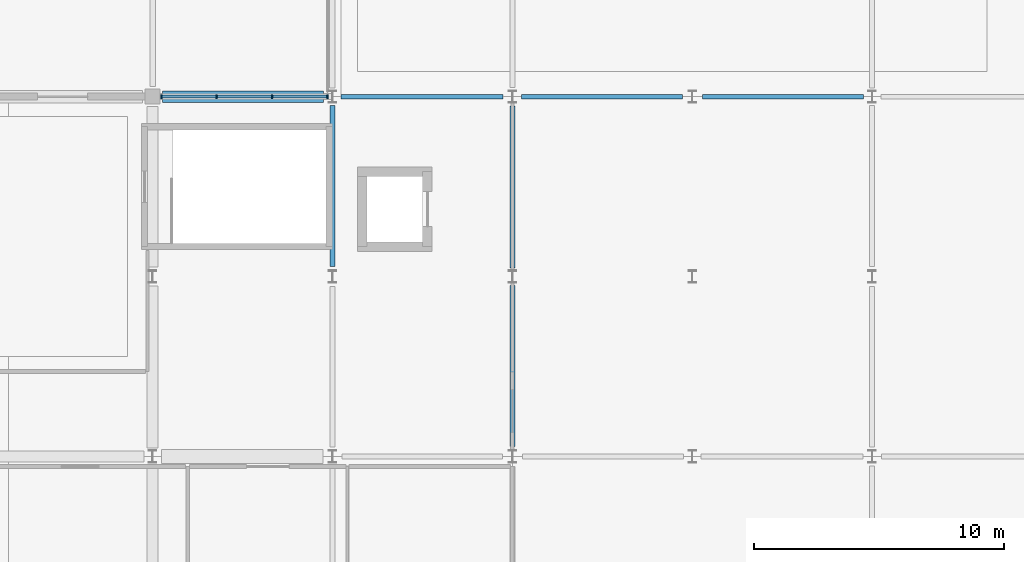
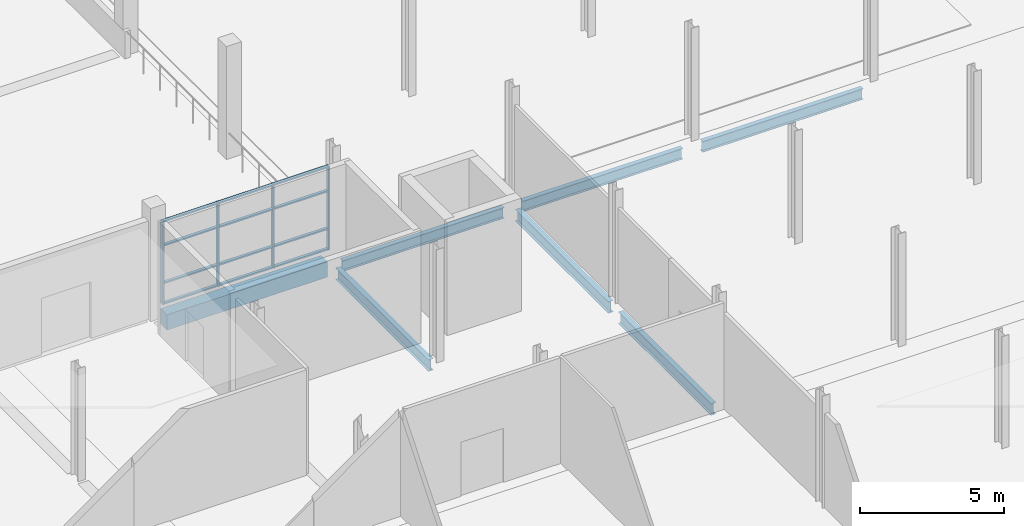
# One storey, part 31 of 82: 16 members, 7 beams, 1 element without a shape of its own.
"""IFC4 building model written with IfcOpenShell, lengths in metres."""

from ifc_helpers import new_model, si_unit, direction, frame, origin, origin_2d, place, context, subcontext, project, spatial, rectangle, i_section, extrude, material, material_profile, profile_set, type_object, element, aggregate, save


model = new_model("IFC4")

# Units and contexts
model_context = context("Model", 3, precision=1e-05, world=origin(), true_north=direction((0.0, 1.0)))
body_context = subcontext(model_context, "Body", "Model", "MODEL_VIEW")
ifc_project = project(units=[si_unit("LENGTHUNIT", "METRE"), si_unit("AREAUNIT", "SQUARE_METRE"), si_unit("VOLUMEUNIT", "CUBIC_METRE"), si_unit("PLANEANGLEUNIT", "RADIAN"), si_unit("MASSUNIT", "GRAM", prefix="KILO")], contexts=[model_context])

# Site, building, storey
site_placement = place(None, origin())
site = spatial("IfcSite", under=ifc_project, at=site_placement, CompositionType="ELEMENT")
building_placement = place(site_placement, origin())
building = spatial("IfcBuilding", under=site, at=building_placement, Name="Sardonyx Promenade Sports Hall", CompositionType="ELEMENT")
storey_placement = place(building_placement, frame((0.0, 0.0, 11.199951171875)))
storey = spatial("IfcBuildingStorey", under=building, at=storey_placement, Name="L02", CompositionType="ELEMENT", Elevation=11.199951171875)

# Beams
ifc_material_1 = material(Name="Steel S355JR", Category="steel")
ifc_material_profile_1 = material_profile(ifc_material_1, i_section(OverallWidth=0.18994140625, OverallDepth=0.453369140625, WebThickness=0.008544921875, FlangeThickness=0.0126953125, at=origin_2d()))
ifc_profile_set_1 = profile_set([ifc_material_profile_1], Name="Steel S355JR")
beam_type_1 = type_object("IfcBeamType", Name="Bm_Girder_UB457", PredefinedType="BEAM", material=ifc_profile_set_1)
beam_1_placement = place(storey_placement, frame((108.35009765625, 28.800048828125, -0.5166015625), z_axis=(1.0, 0.0, 0.0), x_axis=(0.0, 1.0, 0.0)))
element("IfcBeam", 1, at=beam_1_placement, inside=storey, type_object=beam_type_1, Name="Beam SB01 L02 #508", PredefinedType="BEAM", context=body_context, shape_type="SweptSolid", body=[
    extrude(i_section(OverallWidth=0.18994140625, OverallDepth=0.453369140625, WebThickness=0.008544921875, FlangeThickness=0.0126953125, at=origin_2d()), origin(), (0.0, 0.0, 1.0), 6.474853515625),
])
beam_2_placement = place(storey_placement, frame((115.574951171875, 28.800048828125, -0.5166015625), z_axis=(1.0, 0.0, 0.0), x_axis=(0.0, 1.0, 0.0)))
element("IfcBeam", 2, at=beam_2_placement, inside=storey, type_object=beam_type_1, Name="Beam SB01 L02 #509", PredefinedType="BEAM", context=body_context, shape_type="SweptSolid", body=[
    extrude(i_section(OverallWidth=0.18994140625, OverallDepth=0.453369140625, WebThickness=0.008544921875, FlangeThickness=0.0126953125, at=origin_2d()), origin(), (0.0, 0.0, 1.0), 6.425048828125),
])
beam_3_placement = place(storey_placement, frame((122.800048828125, 28.800048828125, -0.5166015625), z_axis=(1.0, 0.0, 0.0), x_axis=(0.0, 1.0, 0.0)))
element("IfcBeam", 3, at=beam_3_placement, inside=storey, type_object=beam_type_1, Name="Beam SB01 L02 #510", PredefinedType="BEAM", context=body_context, shape_type="SweptSolid", body=[
    extrude(i_section(OverallWidth=0.18994140625, OverallDepth=0.453369140625, WebThickness=0.008544921875, FlangeThickness=0.0126953125, at=origin_2d()), origin(), (0.0, 0.0, 1.0), 6.449951171875),
])
ifc_material_2 = material(Name="Steel S355JR", Category="steel")
ifc_material_profile_2 = material_profile(ifc_material_2, i_section(OverallWidth=0.199951171875, OverallDepth=0.5, WebThickness=0.01025390625, FlangeThickness=0.01611328125, at=origin_2d()))
ifc_profile_set_2 = profile_set([ifc_material_profile_2], Name="Steel S355JR")
beam_type_2 = type_object("IfcBeamType", Name="Bm_Primary_IPE500", PredefinedType="BEAM", material=ifc_profile_set_2)
for number, where, z_axis, x_axis, name in (
    (4, (108.0, 22.0, -0.52001953125), (0.0, 1.0, 0.0), (-1.0, 0.0, 0.0), "Beam SB06 L02 #649"),
    (5, (115.199951171875, 14.800048828125, -0.5400390625), (0.0, 1.0, 0.0), (-1.0, 0.0, 0.0), "Beam SB06 L02 #662"),
):
    element("IfcBeam", number, at=place(storey_placement, frame(where, z_axis=z_axis, x_axis=x_axis)), inside=storey, type_object=beam_type_2, Name=name, PredefinedType="BEAM", context=body_context, shape_type="SweptSolid", body=[
        extrude(i_section(OverallWidth=0.199951171875, OverallDepth=0.5, WebThickness=0.01025390625, FlangeThickness=0.01611328125, at=origin_2d()), origin(), (0.0, 0.0, 1.0), 6.449951171875),
    ])
beam_4_placement = place(storey_placement, frame((115.199951171875, 21.949951171875, -0.5400390625), z_axis=(0.0, 1.0, 0.0), x_axis=(-1.0, 0.0, 0.0)))
element("IfcBeam", 6, at=beam_4_placement, inside=storey, type_object=beam_type_2, Name="Beam SB06 L02 #663", PredefinedType="BEAM", context=body_context, shape_type="SweptSolid", body=[
    extrude(i_section(OverallWidth=0.199951171875, OverallDepth=0.5, WebThickness=0.01025390625, FlangeThickness=0.01611328125, at=origin_2d()), origin(), (0.0, 0.0, 1.0), 6.47509765625),
])
ifc_material_3 = material(Name="Concrete C40/50", Category="concrete")
ifc_material_profile_3 = material_profile(ifc_material_3, rectangle(XDim=0.449951171875, YDim=0.64990234375, at=origin_2d()))
ifc_profile_set_3 = profile_set([ifc_material_profile_3], Name="Concrete C40/50")
beam_type_3 = type_object("IfcBeamType", Name="Bm_Primary_RC650", PredefinedType="BEAM", material=ifc_profile_set_3)
beam_5_placement = place(storey_placement, frame((101.199951171875, 28.800048828125, -0.324951171875), z_axis=(1.0, 0.0, 0.0), x_axis=(0.0, 1.0, 0.0)))
element("IfcBeam", 7, at=beam_5_placement, inside=storey, type_object=beam_type_3, Name="Beam BG05 L02 #507", PredefinedType="BEAM", context=body_context, shape_type="SweptSolid", body=[
    extrude(rectangle(XDim=0.449951171875, YDim=0.64990234375, at=origin_2d()), origin(), (0.0, 0.0, 1.0), 6.449951171875),
])

# Curtain wall, members
ifc_material_4 = material(Name="Aluminium 6063-T6", Category="aluminium")
curtain_wall_type = type_object("IfcCurtainWallType", Name="CW_EastWing_L02", PredefinedType="USERDEFINED", material=ifc_material_4)
curtain_wall_placement = place(storey_placement, origin())
curtain_wall = element("IfcCurtainWall", 8, at=curtain_wall_placement, inside=storey, type_object=curtain_wall_type, Name="Curtain wall CW09 cw:L02:160", ObjectType="CURTAIN WALL", PredefinedType="USERDEFINED")
ifc_material_5 = material(Name="Aluminium 6063-T6", Category="aluminium")
ifc_material_profile_4 = material_profile(ifc_material_5, rectangle(XDim=0.06005859375, YDim=0.14990234375, at=origin_2d()))
ifc_profile_set_4 = profile_set([ifc_material_profile_4], Name="Aluminium 6063-T6")
member_type_1 = type_object("IfcMemberType", Name="CW_Mull_150", PredefinedType="MULLION", material=ifc_profile_set_4)
member_1_placement = place(storey_placement, frame((101.14990234375, 28.800048828125, 0.35009765625), z_axis=(0.0, 0.0, 1.0), x_axis=(1.0, 0.0, 0.0)))
member_1 = element("IfcMember", 9, at=member_1_placement, type_object=member_type_1, Name="Mullion CM01 cw:L02:160 #1", PredefinedType="MULLION", context=body_context, shape_type="SweptSolid", body=[
    extrude(rectangle(XDim=0.06005859375, YDim=0.14990234375, at=origin_2d()), origin(), (0.0, 0.0, 1.0), 3.550048828125),
])
member_2_placement = place(storey_placement, frame((103.36669921875, 28.800048828125, 0.35009765625), z_axis=(0.0, 0.0, 1.0), x_axis=(1.0, 0.0, 0.0)))
member_2 = element("IfcMember", 10, at=member_2_placement, type_object=member_type_1, Name="Mullion CM01 cw:L02:160 #2", PredefinedType="MULLION", context=body_context, shape_type="SweptSolid", body=[
    extrude(rectangle(XDim=0.06005859375, YDim=0.14990234375, at=origin_2d()), origin(), (0.0, 0.0, 1.0), 3.550048828125),
])
member_3_placement = place(storey_placement, frame((105.583251953125, 28.800048828125, 0.35009765625), z_axis=(0.0, 0.0, 1.0), x_axis=(1.0, 0.0, 0.0)))
member_3 = element("IfcMember", 11, at=member_3_placement, type_object=member_type_1, Name="Mullion CM01 cw:L02:160 #3", PredefinedType="MULLION", context=body_context, shape_type="SweptSolid", body=[
    extrude(rectangle(XDim=0.06005859375, YDim=0.14990234375, at=origin_2d()), origin(), (0.0, 0.0, 1.0), 3.550048828125),
])
member_4_placement = place(storey_placement, frame((107.800048828125, 28.800048828125, 0.35009765625), z_axis=(0.0, 0.0, 1.0), x_axis=(1.0, 0.0, 0.0)))
member_4 = element("IfcMember", 12, at=member_4_placement, type_object=member_type_1, Name="Mullion CM01 cw:L02:160 #4", PredefinedType="MULLION", context=body_context, shape_type="SweptSolid", body=[
    extrude(rectangle(XDim=0.06005859375, YDim=0.14990234375, at=origin_2d()), origin(), (0.0, 0.0, 1.0), 3.550048828125),
])
ifc_material_6 = material(Name="Aluminium 6063-T6", Category="aluminium")
ifc_material_profile_5 = material_profile(ifc_material_6, rectangle(XDim=0.06005859375, YDim=0.1201171875, at=origin_2d()))
ifc_profile_set_5 = profile_set([ifc_material_profile_5], Name="Aluminium 6063-T6")
member_type_2 = type_object("IfcMemberType", Name="CW_Tran_120", PredefinedType="USERDEFINED", material=ifc_profile_set_5)
member_5_placement = place(storey_placement, frame((101.179931640625, 28.800048828125, 0.380126953125), z_axis=(1.0, 0.0, 0.0), x_axis=(0.0, 0.0, 1.0)))
member_5 = element("IfcMember", 13, at=member_5_placement, type_object=member_type_2, Name="Transom CT01 cw:L02:160 #1", ObjectType="TRANSOM", PredefinedType="USERDEFINED", context=body_context, shape_type="SweptSolid", body=[
    extrude(rectangle(XDim=0.06005859375, YDim=0.1201171875, at=origin_2d()), origin(), (0.0, 0.0, 1.0), 2.15673828125),
])
member_6_placement = place(storey_placement, frame((101.179931640625, 28.800048828125, 1.25), z_axis=(1.0, 0.0, 0.0), x_axis=(0.0, 0.0, 1.0)))
member_6 = element("IfcMember", 14, at=member_6_placement, type_object=member_type_2, Name="Transom CT01 cw:L02:160 #2", ObjectType="TRANSOM", PredefinedType="USERDEFINED", context=body_context, shape_type="SweptSolid", body=[
    extrude(rectangle(XDim=0.06005859375, YDim=0.1201171875, at=origin_2d()), origin(), (0.0, 0.0, 1.0), 2.15673828125),
])
member_7_placement = place(storey_placement, frame((101.179931640625, 28.800048828125, 2.85009765625), z_axis=(1.0, 0.0, 0.0), x_axis=(0.0, 0.0, 1.0)))
member_7 = element("IfcMember", 15, at=member_7_placement, type_object=member_type_2, Name="Transom CT01 cw:L02:160 #3", ObjectType="TRANSOM", PredefinedType="USERDEFINED", context=body_context, shape_type="SweptSolid", body=[
    extrude(rectangle(XDim=0.06005859375, YDim=0.1201171875, at=origin_2d()), origin(), (0.0, 0.0, 1.0), 2.15673828125),
])
member_8_placement = place(storey_placement, frame((101.179931640625, 28.800048828125, 3.8701171875), z_axis=(1.0, 0.0, 0.0), x_axis=(0.0, 0.0, 1.0)))
member_8 = element("IfcMember", 16, at=member_8_placement, type_object=member_type_2, Name="Transom CT01 cw:L02:160 #4", ObjectType="TRANSOM", PredefinedType="USERDEFINED", context=body_context, shape_type="SweptSolid", body=[
    extrude(rectangle(XDim=0.06005859375, YDim=0.1201171875, at=origin_2d()), origin(), (0.0, 0.0, 1.0), 2.15673828125),
])
member_9_placement = place(storey_placement, frame((103.396728515625, 28.800048828125, 0.380126953125), z_axis=(1.0, 0.0, 0.0), x_axis=(0.0, 0.0, 1.0)))
member_9 = element("IfcMember", 17, at=member_9_placement, type_object=member_type_2, Name="Transom CT01 cw:L02:160 #5", ObjectType="TRANSOM", PredefinedType="USERDEFINED", context=body_context, shape_type="SweptSolid", body=[
    extrude(rectangle(XDim=0.06005859375, YDim=0.1201171875, at=origin_2d()), origin(), (0.0, 0.0, 1.0), 2.156494140625),
])
member_10_placement = place(storey_placement, frame((103.396728515625, 28.800048828125, 1.25), z_axis=(1.0, 0.0, 0.0), x_axis=(0.0, 0.0, 1.0)))
member_10 = element("IfcMember", 18, at=member_10_placement, type_object=member_type_2, Name="Transom CT01 cw:L02:160 #6", ObjectType="TRANSOM", PredefinedType="USERDEFINED", context=body_context, shape_type="SweptSolid", body=[
    extrude(rectangle(XDim=0.06005859375, YDim=0.1201171875, at=origin_2d()), origin(), (0.0, 0.0, 1.0), 2.156494140625),
])
member_11_placement = place(storey_placement, frame((103.396728515625, 28.800048828125, 2.85009765625), z_axis=(1.0, 0.0, 0.0), x_axis=(0.0, 0.0, 1.0)))
member_11 = element("IfcMember", 19, at=member_11_placement, type_object=member_type_2, Name="Transom CT01 cw:L02:160 #7", ObjectType="TRANSOM", PredefinedType="USERDEFINED", context=body_context, shape_type="SweptSolid", body=[
    extrude(rectangle(XDim=0.06005859375, YDim=0.1201171875, at=origin_2d()), origin(), (0.0, 0.0, 1.0), 2.156494140625),
])
member_12_placement = place(storey_placement, frame((103.396728515625, 28.800048828125, 3.8701171875), z_axis=(1.0, 0.0, 0.0), x_axis=(0.0, 0.0, 1.0)))
member_12 = element("IfcMember", 20, at=member_12_placement, type_object=member_type_2, Name="Transom CT01 cw:L02:160 #8", ObjectType="TRANSOM", PredefinedType="USERDEFINED", context=body_context, shape_type="SweptSolid", body=[
    extrude(rectangle(XDim=0.06005859375, YDim=0.1201171875, at=origin_2d()), origin(), (0.0, 0.0, 1.0), 2.156494140625),
])
member_13_placement = place(storey_placement, frame((105.61328125, 28.800048828125, 0.380126953125), z_axis=(1.0, 0.0, 0.0), x_axis=(0.0, 0.0, 1.0)))
member_13 = element("IfcMember", 21, at=member_13_placement, type_object=member_type_2, Name="Transom CT01 cw:L02:160 #9", ObjectType="TRANSOM", PredefinedType="USERDEFINED", context=body_context, shape_type="SweptSolid", body=[
    extrude(rectangle(XDim=0.06005859375, YDim=0.1201171875, at=origin_2d()), origin(), (0.0, 0.0, 1.0), 2.15673828125),
])
member_14_placement = place(storey_placement, frame((105.61328125, 28.800048828125, 1.25), z_axis=(1.0, 0.0, 0.0), x_axis=(0.0, 0.0, 1.0)))
member_14 = element("IfcMember", 22, at=member_14_placement, type_object=member_type_2, Name="Transom CT01 cw:L02:160 #10", ObjectType="TRANSOM", PredefinedType="USERDEFINED", context=body_context, shape_type="SweptSolid", body=[
    extrude(rectangle(XDim=0.06005859375, YDim=0.1201171875, at=origin_2d()), origin(), (0.0, 0.0, 1.0), 2.15673828125),
])
member_15_placement = place(storey_placement, frame((105.61328125, 28.800048828125, 2.85009765625), z_axis=(1.0, 0.0, 0.0), x_axis=(0.0, 0.0, 1.0)))
member_15 = element("IfcMember", 23, at=member_15_placement, type_object=member_type_2, Name="Transom CT01 cw:L02:160 #11", ObjectType="TRANSOM", PredefinedType="USERDEFINED", context=body_context, shape_type="SweptSolid", body=[
    extrude(rectangle(XDim=0.06005859375, YDim=0.1201171875, at=origin_2d()), origin(), (0.0, 0.0, 1.0), 2.15673828125),
])
member_16_placement = place(storey_placement, frame((105.61328125, 28.800048828125, 3.8701171875), z_axis=(1.0, 0.0, 0.0), x_axis=(0.0, 0.0, 1.0)))
member_16 = element("IfcMember", 24, at=member_16_placement, type_object=member_type_2, Name="Transom CT01 cw:L02:160 #12", ObjectType="TRANSOM", PredefinedType="USERDEFINED", context=body_context, shape_type="SweptSolid", body=[
    extrude(rectangle(XDim=0.06005859375, YDim=0.1201171875, at=origin_2d()), origin(), (0.0, 0.0, 1.0), 2.15673828125),
])
aggregate(curtain_wall, [member_1, member_2, member_3, member_4, member_5, member_6, member_7, member_8, member_9, member_10, member_11, member_12, member_13, member_14, member_15, member_16])

save(model, "model.ifc")
